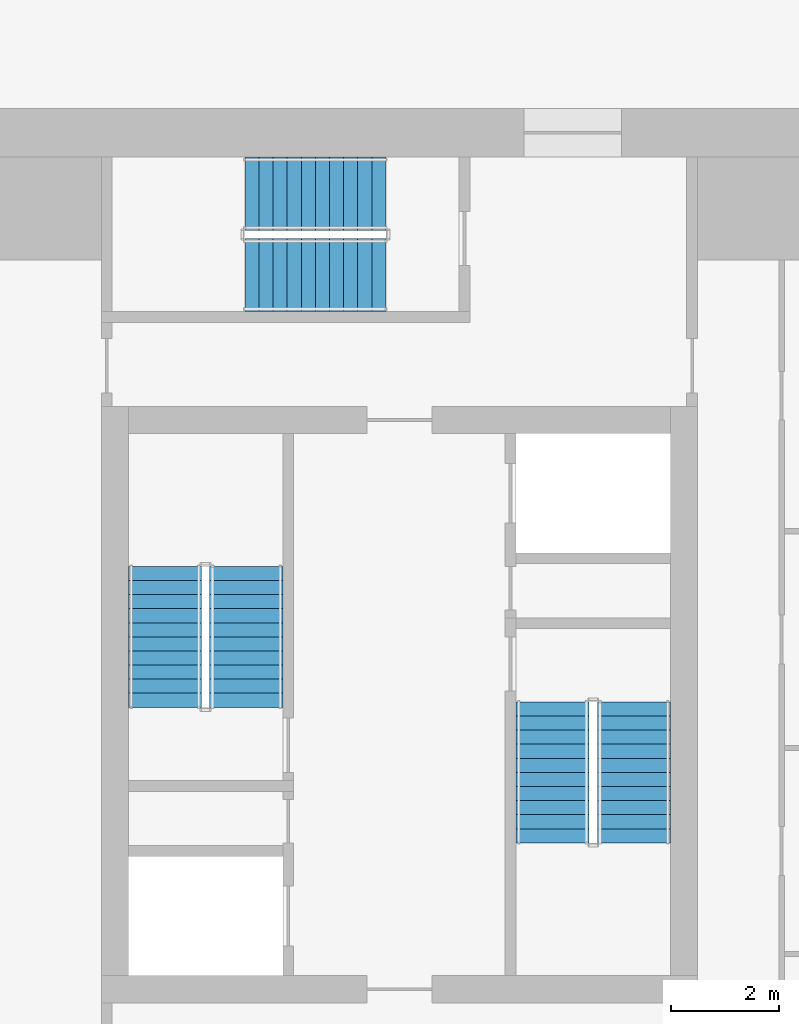
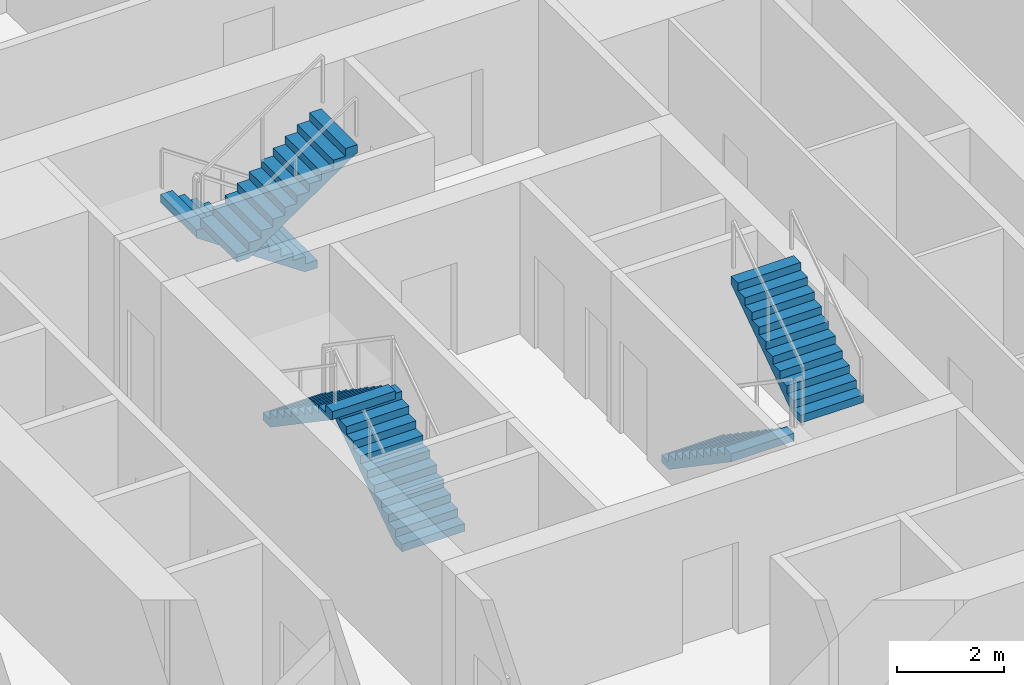
# One storey, part 11 of 16: 6 stair flights, 3 elements without a shape of their own.
"""IFC4 building model written with IfcOpenShell, lengths in metres."""

from ifc_helpers import new_model, si_unit, direction, frame, origin, place, context, subcontext, project, spatial, polyline, outline, extrude, material, type_object, element, aggregate, save


model = new_model("IFC4")

# Units and contexts
model_context = context("Model", 3, precision=1e-05, world=origin(), true_north=direction((0.0, 1.0)))
body_context = subcontext(model_context, "Body", "Model", "MODEL_VIEW")
ifc_project = project(units=[si_unit("LENGTHUNIT", "METRE"), si_unit("AREAUNIT", "SQUARE_METRE"), si_unit("VOLUMEUNIT", "CUBIC_METRE"), si_unit("PLANEANGLEUNIT", "RADIAN"), si_unit("MASSUNIT", "GRAM", prefix="KILO")], contexts=[model_context])

# Site, building, storey
site_placement = place(None, origin())
site = spatial("IfcSite", under=ifc_project, at=site_placement, CompositionType="ELEMENT")
building_placement = place(site_placement, origin())
building = spatial("IfcBuilding", under=site, at=building_placement, Name="Khepri Terraces", CompositionType="ELEMENT")
storey_placement = place(building_placement, frame((0.0, 0.0, 27.0)))
storey = spatial("IfcBuildingStorey", under=building, at=storey_placement, Name="L05", CompositionType="ELEMENT", Elevation=27.0)

# Stair, stair flights
ifc_material = material(Name="Concrete C40/50", Category="concrete")
stair_type = type_object("IfcStairType", Name="STAIR-RC-22R", PredefinedType="HALF_TURN_STAIR", material=ifc_material)
stair_1_placement = place(storey_placement, origin())
stair_1 = element("IfcStair", 1, at=stair_1_placement, inside=storey, type_object=stair_type, Name="L05 Exit Stair ST-1", PredefinedType="HALF_TURN_STAIR")
stair_flight_type = type_object("IfcStairFlightType", Name="SFL-RC-177.3", PredefinedType="STRAIGHT", material=ifc_material)
stair_flight_1_placement = place(storey_placement, frame((-2.824951171875, -0.050048828125, 0.0), z_axis=(0.0, 0.0, 1.0), x_axis=(0.0, 1.0, 0.0)))
stair_flight_1 = element("IfcStairFlight", 2, at=stair_flight_1_placement, type_object=stair_flight_type, Name="ST-1 flight 1", NumberOfRisers=11, NumberOfTreads=10, PredefinedType="STRAIGHT", RiserHeight=0.177272727, TreadLength=0.26, context=body_context, shape_type="SweptSolid", body=[
    extrude(outline(polyline([(0.0, 0.0), (0.0, 0.17724609375), (0.260009765625, 0.17724609375), (0.260009765625, 0.3544921875), (0.52001953125, 0.3544921875), (0.52001953125, 0.53173828125), (0.780029296875, 0.53173828125), (0.780029296875, 0.708984375), (1.0400390625, 0.708984375), (1.0400390625, 0.886474609375), (1.300048828125, 0.886474609375), (1.300048828125, 1.063720703125), (1.56005859375, 1.063720703125), (1.56005859375, 1.240966796875), (1.820068359375, 1.240966796875), (1.820068359375, 1.418212890625), (2.080078125, 1.418212890625), (2.080078125, 1.595458984375), (2.340087890625, 1.595458984375), (2.340087890625, 1.772705078125), (2.60009765625, 1.772705078125), (2.60009765625, 1.949951171875), (2.60009765625, 1.59130859375), (0.26611328125, 0.0), (0.0, 0.0)])), frame((0.0, 0.675048828125, 0.0), z_axis=(0.0, -1.0, 0.0), x_axis=(1.0, 0.0, 0.0)), (0.0, 0.0, 1.0), 1.35009765625),
])
stair_flight_2_placement = place(storey_placement, frame((-4.324951171875, 2.550048828125, 1.949951171875), z_axis=(0.0, 0.0, 1.0), x_axis=(0.0, -1.0, 0.0)))
stair_flight_2 = element("IfcStairFlight", 3, at=stair_flight_2_placement, type_object=stair_flight_type, Name="ST-1 flight 2", NumberOfRisers=11, NumberOfTreads=10, PredefinedType="STRAIGHT", RiserHeight=0.177272727, TreadLength=0.26, context=body_context, shape_type="SweptSolid", body=[
    extrude(outline(polyline([(0.0, 0.0), (0.0, 0.17724609375), (0.260009765625, 0.17724609375), (0.260009765625, 0.3544921875), (0.52001953125, 0.3544921875), (0.52001953125, 0.53173828125), (0.780029296875, 0.53173828125), (0.780029296875, 0.708984375), (1.0400390625, 0.708984375), (1.0400390625, 0.886474609375), (1.300048828125, 0.886474609375), (1.300048828125, 1.063720703125), (1.56005859375, 1.063720703125), (1.56005859375, 1.240966796875), (1.820068359375, 1.240966796875), (1.820068359375, 1.418212890625), (2.080078125, 1.418212890625), (2.080078125, 1.595458984375), (2.340087890625, 1.595458984375), (2.340087890625, 1.772705078125), (2.60009765625, 1.772705078125), (2.60009765625, 1.949951171875), (2.60009765625, 1.59130859375), (0.26611328125, 0.0), (0.0, 0.0)])), frame((0.0, 0.675048828125, 0.0), z_axis=(0.0, -1.0, 0.0), x_axis=(1.0, 0.0, 0.0)), (0.0, 0.0, 1.0), 1.35009765625),
])
aggregate(stair_1, [stair_flight_1, stair_flight_2])

stair_2_placement = place(storey_placement, origin())
stair_2 = element("IfcStair", 4, at=stair_2_placement, inside=storey, type_object=stair_type, Name="L05 Exit Stair ST-2", PredefinedType="HALF_TURN_STAIR")
stair_flight_3_placement = place(storey_placement, frame((2.824951171875, 0.050048828125, 0.0), z_axis=(0.0, 0.0, 1.0), x_axis=(0.0, -1.0, 0.0)))
stair_flight_3 = element("IfcStairFlight", 5, at=stair_flight_3_placement, type_object=stair_flight_type, Name="ST-2 flight 1", NumberOfRisers=11, NumberOfTreads=10, PredefinedType="STRAIGHT", RiserHeight=0.177272727, TreadLength=0.26, context=body_context, shape_type="SweptSolid", body=[
    extrude(outline(polyline([(0.0, 0.0), (0.0, 0.17724609375), (0.260009765625, 0.17724609375), (0.260009765625, 0.3544921875), (0.52001953125, 0.3544921875), (0.52001953125, 0.53173828125), (0.780029296875, 0.53173828125), (0.780029296875, 0.708984375), (1.0400390625, 0.708984375), (1.0400390625, 0.886474609375), (1.300048828125, 0.886474609375), (1.300048828125, 1.063720703125), (1.56005859375, 1.063720703125), (1.56005859375, 1.240966796875), (1.820068359375, 1.240966796875), (1.820068359375, 1.418212890625), (2.080078125, 1.418212890625), (2.080078125, 1.595458984375), (2.340087890625, 1.595458984375), (2.340087890625, 1.772705078125), (2.60009765625, 1.772705078125), (2.60009765625, 1.949951171875), (2.60009765625, 1.59130859375), (0.26611328125, 0.0), (0.0, 0.0)])), frame((0.0, 0.675048828125, 0.0), z_axis=(0.0, -1.0, 0.0), x_axis=(1.0, 0.0, 0.0)), (0.0, 0.0, 1.0), 1.35009765625),
])
stair_flight_4_placement = place(storey_placement, frame((4.324951171875, -2.550048828125, 1.949951171875), z_axis=(0.0, 0.0, 1.0), x_axis=(0.0, 1.0, 0.0)))
stair_flight_4 = element("IfcStairFlight", 6, at=stair_flight_4_placement, type_object=stair_flight_type, Name="ST-2 flight 2", NumberOfRisers=11, NumberOfTreads=10, PredefinedType="STRAIGHT", RiserHeight=0.177272727, TreadLength=0.26, context=body_context, shape_type="SweptSolid", body=[
    extrude(outline(polyline([(0.0, 0.0), (0.0, 0.17724609375), (0.260009765625, 0.17724609375), (0.260009765625, 0.3544921875), (0.52001953125, 0.3544921875), (0.52001953125, 0.53173828125), (0.780029296875, 0.53173828125), (0.780029296875, 0.708984375), (1.0400390625, 0.708984375), (1.0400390625, 0.886474609375), (1.300048828125, 0.886474609375), (1.300048828125, 1.063720703125), (1.56005859375, 1.063720703125), (1.56005859375, 1.240966796875), (1.820068359375, 1.240966796875), (1.820068359375, 1.418212890625), (2.080078125, 1.418212890625), (2.080078125, 1.595458984375), (2.340087890625, 1.595458984375), (2.340087890625, 1.772705078125), (2.60009765625, 1.772705078125), (2.60009765625, 1.949951171875), (2.60009765625, 1.59130859375), (0.26611328125, 0.0), (0.0, 0.0)])), frame((0.0, 0.675048828125, 0.0), z_axis=(0.0, -1.0, 0.0), x_axis=(1.0, 0.0, 0.0)), (0.0, 0.0, 1.0), 1.35009765625),
])
aggregate(stair_2, [stair_flight_3, stair_flight_4])

stair_3_placement = place(storey_placement, origin())
stair_3 = element("IfcStair", 7, at=stair_3_placement, inside=storey, type_object=stair_type, Name="L05 Exit Stair ST-3", PredefinedType="HALF_TURN_STAIR")
stair_flight_5_placement = place(storey_placement, frame((-0.25, 9.425048828125, 0.0), z_axis=(0.0, 0.0, 1.0), x_axis=(-1.0, 0.0, 0.0)))
stair_flight_5 = element("IfcStairFlight", 8, at=stair_flight_5_placement, type_object=stair_flight_type, Name="ST-3 flight 1", NumberOfRisers=11, NumberOfTreads=10, PredefinedType="STRAIGHT", RiserHeight=0.177272727, TreadLength=0.26, context=body_context, shape_type="SweptSolid", body=[
    extrude(outline(polyline([(0.0, 0.0), (0.0, 0.17724609375), (0.260009765625, 0.17724609375), (0.260009765625, 0.3544921875), (0.52001953125, 0.3544921875), (0.52001953125, 0.53173828125), (0.780029296875, 0.53173828125), (0.780029296875, 0.708984375), (1.0400390625, 0.708984375), (1.0400390625, 0.886474609375), (1.300048828125, 0.886474609375), (1.300048828125, 1.063720703125), (1.56005859375, 1.063720703125), (1.56005859375, 1.240966796875), (1.820068359375, 1.240966796875), (1.820068359375, 1.418212890625), (2.080078125, 1.418212890625), (2.080078125, 1.595458984375), (2.340087890625, 1.595458984375), (2.340087890625, 1.772705078125), (2.60009765625, 1.772705078125), (2.60009765625, 1.949951171875), (2.60009765625, 1.59130859375), (0.26611328125, 0.0), (0.0, 0.0)])), frame((0.0, 0.675048828125, 0.0), z_axis=(0.0, -1.0, 0.0), x_axis=(1.0, 0.0, 0.0)), (0.0, 0.0, 1.0), 1.35009765625),
])
stair_flight_6_placement = place(storey_placement, frame((-2.85009765625, 7.925048828125, 1.949951171875), z_axis=(0.0, 0.0, 1.0), x_axis=(1.0, 0.0, 0.0)))
stair_flight_6 = element("IfcStairFlight", 9, at=stair_flight_6_placement, type_object=stair_flight_type, Name="ST-3 flight 2", NumberOfRisers=11, NumberOfTreads=10, PredefinedType="STRAIGHT", RiserHeight=0.177272727, TreadLength=0.26, context=body_context, shape_type="SweptSolid", body=[
    extrude(outline(polyline([(0.0, 0.0), (0.0, 0.17724609375), (0.260009765625, 0.17724609375), (0.260009765625, 0.3544921875), (0.52001953125, 0.3544921875), (0.52001953125, 0.53173828125), (0.780029296875, 0.53173828125), (0.780029296875, 0.708984375), (1.0400390625, 0.708984375), (1.0400390625, 0.886474609375), (1.300048828125, 0.886474609375), (1.300048828125, 1.063720703125), (1.56005859375, 1.063720703125), (1.56005859375, 1.240966796875), (1.820068359375, 1.240966796875), (1.820068359375, 1.418212890625), (2.080078125, 1.418212890625), (2.080078125, 1.595458984375), (2.340087890625, 1.595458984375), (2.340087890625, 1.772705078125), (2.60009765625, 1.772705078125), (2.60009765625, 1.949951171875), (2.60009765625, 1.59130859375), (0.26611328125, 0.0), (0.0, 0.0)])), frame((0.0, 0.675048828125, 0.0), z_axis=(0.0, -1.0, 0.0), x_axis=(1.0, 0.0, 0.0)), (0.0, 0.0, 1.0), 1.35009765625),
])
aggregate(stair_3, [stair_flight_5, stair_flight_6])

save(model, "model.ifc")
